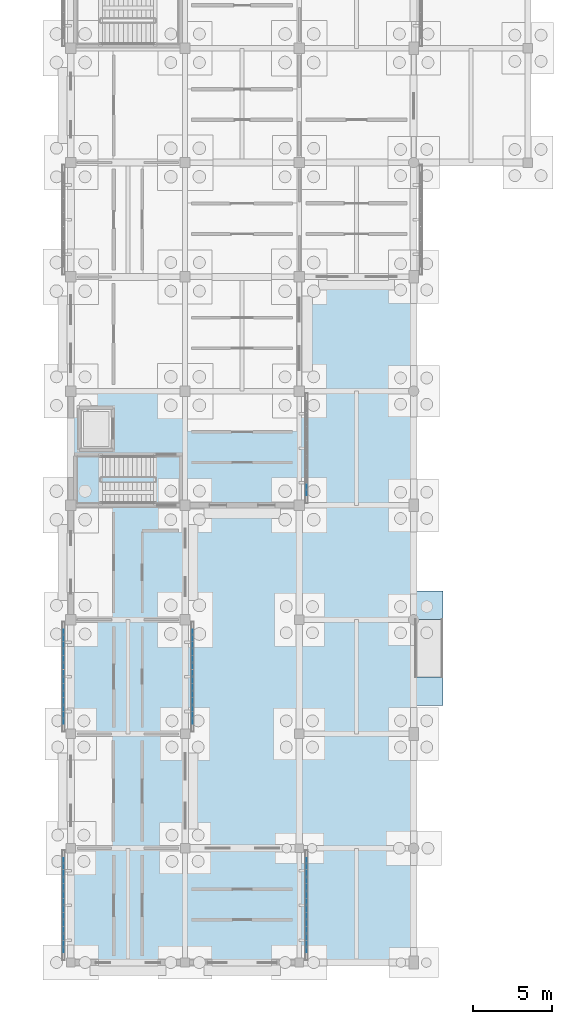
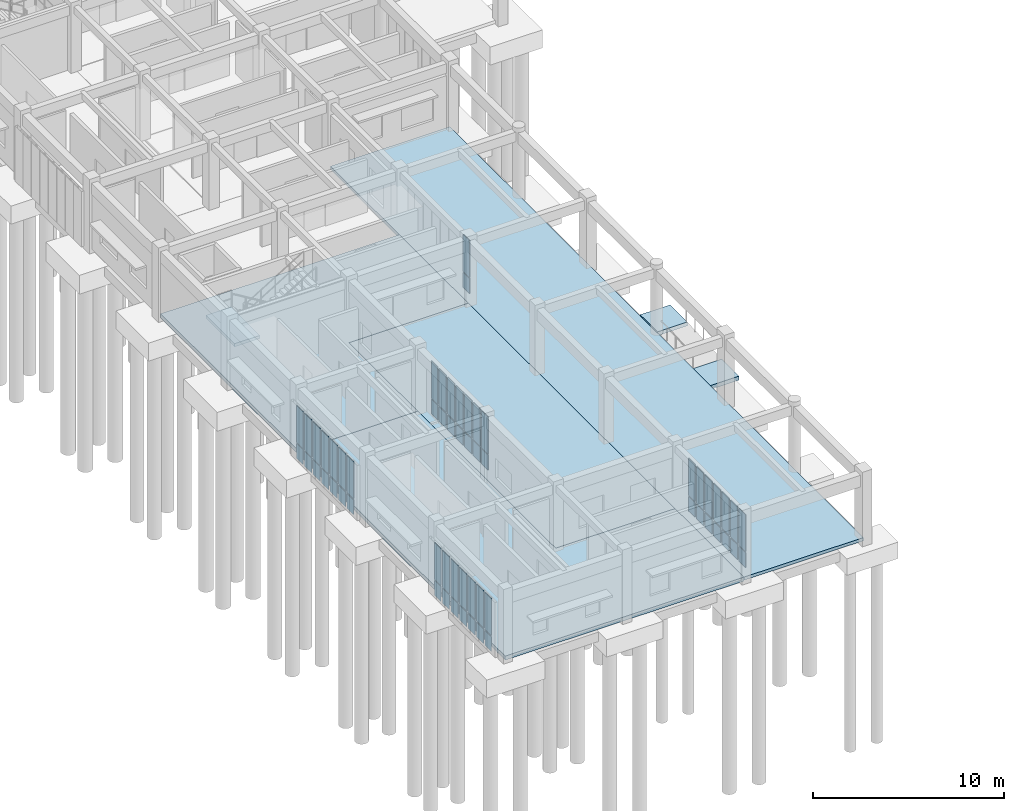
# One storey, part 47 of 111: 58 plates, 7 slabs, 6 elements without a shape of their own.
"""IFC4 building model written with IfcOpenShell, lengths in metres."""

from ifc_helpers import new_model, si_unit, direction, frame, origin, origin_2d, place, context, subcontext, project, spatial, polyline, rectangle, outline, extrude, material, layer, layer_set, type_object, element, aggregate, save


model = new_model("IFC4")

# Units and contexts
model_context = context("Model", 3, precision=1e-05, world=origin(), true_north=direction((0.0, 1.0)))
body_context = subcontext(model_context, "Body", "Model", "MODEL_VIEW")
ifc_project = project(units=[si_unit("LENGTHUNIT", "METRE"), si_unit("AREAUNIT", "SQUARE_METRE"), si_unit("VOLUMEUNIT", "CUBIC_METRE"), si_unit("PLANEANGLEUNIT", "RADIAN"), si_unit("MASSUNIT", "GRAM", prefix="KILO")], contexts=[model_context])

# Site, building, storey
site_placement = place(None, origin())
site = spatial("IfcSite", under=ifc_project, at=site_placement, CompositionType="ELEMENT")
building_placement = place(site_placement, origin())
building = spatial("IfcBuilding", under=site, at=building_placement, Name="Aldebral Square Health Centre", CompositionType="ELEMENT")
storey_placement = place(building_placement, origin())
storey = spatial("IfcBuildingStorey", under=building, at=storey_placement, Name="L00", CompositionType="ELEMENT", Elevation=0.0)

# Curtain wall, plates
ifc_material_1 = material(Name="Aluminium and low-E solar glass", Category="aluminium")
curtain_wall_type = type_object("IfcCurtainWallType", Name="CW-FIN-SYS", PredefinedType="USERDEFINED", material=ifc_material_1)
curtain_wall_1_placement = place(storey_placement, origin())
curtain_wall_1 = element("IfcCurtainWall", 1, at=curtain_wall_1_placement, inside=storey, type_object=curtain_wall_type, Name="L00 V6 finned curtain wall L00-V6-00-00-W", ObjectType="SOLAR_CURTAIN_WALL", PredefinedType="USERDEFINED")
ifc_material_2 = material(Name="Solar-control low-E double glass", Category="glass")
ifc_layer_1 = layer(ifc_material_2, 0.02001953125, Name="Solar-control low-E double glass", Category="glass")
ifc_layer_set_1 = layer_set([ifc_layer_1], Name="Solar-control low-E double glass")
plate_type_1 = type_object("IfcPlateType", Name="CWP-GLZ-1", PredefinedType="CURTAIN_PANEL", material=ifc_layer_set_1)
plate_1_placement = place(storey_placement, frame((-0.4599609375, 6.234375, 0.074951171875), z_axis=(0.0, 0.0, 1.0), x_axis=(0.0, -1.0, 0.0)))
plate_1 = element("IfcPlate", 2, at=plate_1_placement, type_object=plate_type_1, Name="CW1 panel 1.1", PredefinedType="CURTAIN_PANEL", context=body_context, shape_type="SweptSolid", body=[
    extrude(rectangle(XDim=0.6513671875, YDim=0.02001953125, at=origin_2d()), origin(), (0.0, 0.0, 1.0), 0.9375),
])
plate_2_placement = place(storey_placement, frame((-0.4599609375, 6.234375, 1.087646484375), z_axis=(0.0, 0.0, 1.0), x_axis=(0.0, -1.0, 0.0)))
plate_2 = element("IfcPlate", 3, at=plate_2_placement, type_object=plate_type_1, Name="CW1 panel 1.2", PredefinedType="CURTAIN_PANEL", context=body_context, shape_type="SweptSolid", body=[
    extrude(rectangle(XDim=0.6513671875, YDim=0.02001953125, at=origin_2d()), origin(), (0.0, 0.0, 1.0), 2.357421875),
])
plate_3_placement = place(storey_placement, frame((-0.4599609375, 5.3828125, 0.074951171875), z_axis=(0.0, 0.0, 1.0), x_axis=(0.0, -1.0, 0.0)))
plate_3 = element("IfcPlate", 4, at=plate_3_placement, type_object=plate_type_1, Name="CW1 panel 2.1", PredefinedType="CURTAIN_PANEL", context=body_context, shape_type="SweptSolid", body=[
    extrude(rectangle(XDim=0.7314453125, YDim=0.02001953125, at=origin_2d()), origin(), (0.0, 0.0, 1.0), 0.9375),
])
plate_4_placement = place(storey_placement, frame((-0.4599609375, 5.3828125, 1.087646484375), z_axis=(0.0, 0.0, 1.0), x_axis=(0.0, -1.0, 0.0)))
plate_4 = element("IfcPlate", 5, at=plate_4_placement, type_object=plate_type_1, Name="CW1 panel 2.2", PredefinedType="CURTAIN_PANEL", context=body_context, shape_type="SweptSolid", body=[
    extrude(rectangle(XDim=0.7314453125, YDim=0.02001953125, at=origin_2d()), origin(), (0.0, 0.0, 1.0), 2.357421875),
])
plate_5_placement = place(storey_placement, frame((-0.4599609375, 4.491455078125, 0.074951171875), z_axis=(0.0, 0.0, 1.0), x_axis=(0.0, -1.0, 0.0)))
plate_5 = element("IfcPlate", 6, at=plate_5_placement, type_object=plate_type_1, Name="CW1 panel 3.1", PredefinedType="CURTAIN_PANEL", context=body_context, shape_type="SweptSolid", body=[
    extrude(rectangle(XDim=0.7314453125, YDim=0.02001953125, at=origin_2d()), origin(), (0.0, 0.0, 1.0), 0.9375),
])
plate_6_placement = place(storey_placement, frame((-0.4599609375, 4.491455078125, 1.087646484375), z_axis=(0.0, 0.0, 1.0), x_axis=(0.0, -1.0, 0.0)))
plate_6 = element("IfcPlate", 7, at=plate_6_placement, type_object=plate_type_1, Name="CW1 panel 3.2", PredefinedType="CURTAIN_PANEL", context=body_context, shape_type="SweptSolid", body=[
    extrude(rectangle(XDim=0.7314453125, YDim=0.02001953125, at=origin_2d()), origin(), (0.0, 0.0, 1.0), 2.357421875),
])
plate_7_placement = place(storey_placement, frame((-0.4599609375, 3.60009765625, 0.074951171875), z_axis=(0.0, 0.0, 1.0), x_axis=(0.0, -1.0, 0.0)))
plate_7 = element("IfcPlate", 8, at=plate_7_placement, type_object=plate_type_1, Name="CW1 panel 4.1", PredefinedType="CURTAIN_PANEL", context=body_context, shape_type="SweptSolid", body=[
    extrude(rectangle(XDim=0.7314453125, YDim=0.02001953125, at=origin_2d()), origin(), (0.0, 0.0, 1.0), 0.9375),
])
plate_8_placement = place(storey_placement, frame((-0.4599609375, 3.60009765625, 1.087646484375), z_axis=(0.0, 0.0, 1.0), x_axis=(0.0, -1.0, 0.0)))
plate_8 = element("IfcPlate", 9, at=plate_8_placement, type_object=plate_type_1, Name="CW1 panel 4.2", PredefinedType="CURTAIN_PANEL", context=body_context, shape_type="SweptSolid", body=[
    extrude(rectangle(XDim=0.7314453125, YDim=0.02001953125, at=origin_2d()), origin(), (0.0, 0.0, 1.0), 2.357421875),
])
plate_9_placement = place(storey_placement, frame((-0.4599609375, 2.70849609375, 0.074951171875), z_axis=(0.0, 0.0, 1.0), x_axis=(0.0, -1.0, 0.0)))
plate_9 = element("IfcPlate", 10, at=plate_9_placement, type_object=plate_type_1, Name="CW1 panel 5.1", PredefinedType="CURTAIN_PANEL", context=body_context, shape_type="SweptSolid", body=[
    extrude(rectangle(XDim=0.7314453125, YDim=0.02001953125, at=origin_2d()), origin(), (0.0, 0.0, 1.0), 0.9375),
])
plate_10_placement = place(storey_placement, frame((-0.4599609375, 2.70849609375, 1.087646484375), z_axis=(0.0, 0.0, 1.0), x_axis=(0.0, -1.0, 0.0)))
plate_10 = element("IfcPlate", 11, at=plate_10_placement, type_object=plate_type_1, Name="CW1 panel 5.2", PredefinedType="CURTAIN_PANEL", context=body_context, shape_type="SweptSolid", body=[
    extrude(rectangle(XDim=0.7314453125, YDim=0.02001953125, at=origin_2d()), origin(), (0.0, 0.0, 1.0), 2.357421875),
])
plate_11_placement = place(storey_placement, frame((-0.4599609375, 1.817138671875, 0.074951171875), z_axis=(0.0, 0.0, 1.0), x_axis=(0.0, -1.0, 0.0)))
plate_11 = element("IfcPlate", 12, at=plate_11_placement, type_object=plate_type_1, Name="CW1 panel 6.1", PredefinedType="CURTAIN_PANEL", context=body_context, shape_type="SweptSolid", body=[
    extrude(rectangle(XDim=0.7314453125, YDim=0.02001953125, at=origin_2d()), origin(), (0.0, 0.0, 1.0), 0.9375),
])
plate_12_placement = place(storey_placement, frame((-0.4599609375, 1.817138671875, 1.087646484375), z_axis=(0.0, 0.0, 1.0), x_axis=(0.0, -1.0, 0.0)))
plate_12 = element("IfcPlate", 13, at=plate_12_placement, type_object=plate_type_1, Name="CW1 panel 6.2", PredefinedType="CURTAIN_PANEL", context=body_context, shape_type="SweptSolid", body=[
    extrude(rectangle(XDim=0.7314453125, YDim=0.02001953125, at=origin_2d()), origin(), (0.0, 0.0, 1.0), 2.357421875),
])
plate_13_placement = place(storey_placement, frame((-0.4599609375, 0.9658203125, 0.074951171875), z_axis=(0.0, 0.0, 1.0), x_axis=(0.0, -1.0, 0.0)))
plate_13 = element("IfcPlate", 14, at=plate_13_placement, type_object=plate_type_1, Name="CW1 panel 7.1", PredefinedType="CURTAIN_PANEL", context=body_context, shape_type="SweptSolid", body=[
    extrude(rectangle(XDim=0.6513671875, YDim=0.02001953125, at=origin_2d()), origin(), (0.0, 0.0, 1.0), 0.9375),
])
plate_14_placement = place(storey_placement, frame((-0.4599609375, 0.9658203125, 1.087646484375), z_axis=(0.0, 0.0, 1.0), x_axis=(0.0, -1.0, 0.0)))
plate_14 = element("IfcPlate", 15, at=plate_14_placement, type_object=plate_type_1, Name="CW1 panel 7.2", PredefinedType="CURTAIN_PANEL", context=body_context, shape_type="SweptSolid", body=[
    extrude(rectangle(XDim=0.6513671875, YDim=0.02001953125, at=origin_2d()), origin(), (0.0, 0.0, 1.0), 2.357421875),
])
aggregate(curtain_wall_1, [plate_1, plate_2, plate_3, plate_4, plate_5, plate_6, plate_7, plate_8, plate_9, plate_10, plate_11, plate_12, plate_13, plate_14])

curtain_wall_2_placement = place(storey_placement, origin())
curtain_wall_2 = element("IfcCurtainWall", 16, at=curtain_wall_2_placement, inside=storey, type_object=curtain_wall_type, Name="L00 V6 finned curtain wall L00-V6-00-02-W", ObjectType="SOLAR_CURTAIN_WALL", PredefinedType="USERDEFINED")
ifc_layer_2 = layer(ifc_material_2, 0.030029296875, Name="Solar-control low-E double glass", Category="glass")
ifc_layer_set_2 = layer_set([ifc_layer_2], Name="Solar-control low-E double glass")
plate_type_2 = type_object("IfcPlateType", Name="CWP-GLZ-2", PredefinedType="CURTAIN_PANEL", material=ifc_layer_set_2)
plate_15_placement = place(storey_placement, frame((-0.4599609375, 20.63427734375, 0.074951171875), z_axis=(0.0, 0.0, 1.0), x_axis=(0.0, -1.0, 0.0)))
plate_15 = element("IfcPlate", 17, at=plate_15_placement, type_object=plate_type_2, Name="CW1 panel 1.1", PredefinedType="CURTAIN_PANEL", context=body_context, shape_type="SweptSolid", body=[
    extrude(rectangle(XDim=0.6513671875, YDim=0.030029296875, at=origin_2d()), origin(), (0.0, 0.0, 1.0), 0.9375),
])
plate_16_placement = place(storey_placement, frame((-0.4599609375, 20.63427734375, 1.087646484375), z_axis=(0.0, 0.0, 1.0), x_axis=(0.0, -1.0, 0.0)))
plate_16 = element("IfcPlate", 18, at=plate_16_placement, type_object=plate_type_2, Name="CW1 panel 1.2", PredefinedType="CURTAIN_PANEL", context=body_context, shape_type="SweptSolid", body=[
    extrude(rectangle(XDim=0.6513671875, YDim=0.030029296875, at=origin_2d()), origin(), (0.0, 0.0, 1.0), 2.357421875),
])
plate_17_placement = place(storey_placement, frame((-0.4599609375, 19.782958984375, 0.074951171875), z_axis=(0.0, 0.0, 1.0), x_axis=(0.0, -1.0, 0.0)))
plate_17 = element("IfcPlate", 19, at=plate_17_placement, type_object=plate_type_2, Name="CW1 panel 2.1", PredefinedType="CURTAIN_PANEL", context=body_context, shape_type="SweptSolid", body=[
    extrude(rectangle(XDim=0.7314453125, YDim=0.030029296875, at=origin_2d()), origin(), (0.0, 0.0, 1.0), 0.9375),
])
plate_18_placement = place(storey_placement, frame((-0.4599609375, 19.782958984375, 1.087646484375), z_axis=(0.0, 0.0, 1.0), x_axis=(0.0, -1.0, 0.0)))
plate_18 = element("IfcPlate", 20, at=plate_18_placement, type_object=plate_type_2, Name="CW1 panel 2.2", PredefinedType="CURTAIN_PANEL", context=body_context, shape_type="SweptSolid", body=[
    extrude(rectangle(XDim=0.7314453125, YDim=0.030029296875, at=origin_2d()), origin(), (0.0, 0.0, 1.0), 2.357421875),
])
plate_19_placement = place(storey_placement, frame((-0.4599609375, 18.891357421875, 0.074951171875), z_axis=(0.0, 0.0, 1.0), x_axis=(0.0, -1.0, 0.0)))
plate_19 = element("IfcPlate", 21, at=plate_19_placement, type_object=plate_type_2, Name="CW1 panel 3.1", PredefinedType="CURTAIN_PANEL", context=body_context, shape_type="SweptSolid", body=[
    extrude(rectangle(XDim=0.7314453125, YDim=0.030029296875, at=origin_2d()), origin(), (0.0, 0.0, 1.0), 0.9375),
])
plate_20_placement = place(storey_placement, frame((-0.4599609375, 18.891357421875, 1.087646484375), z_axis=(0.0, 0.0, 1.0), x_axis=(0.0, -1.0, 0.0)))
plate_20 = element("IfcPlate", 22, at=plate_20_placement, type_object=plate_type_2, Name="CW1 panel 3.2", PredefinedType="CURTAIN_PANEL", context=body_context, shape_type="SweptSolid", body=[
    extrude(rectangle(XDim=0.7314453125, YDim=0.030029296875, at=origin_2d()), origin(), (0.0, 0.0, 1.0), 2.357421875),
])
plate_21_placement = place(storey_placement, frame((-0.4599609375, 18.0, 0.074951171875), z_axis=(0.0, 0.0, 1.0), x_axis=(0.0, -1.0, 0.0)))
plate_21 = element("IfcPlate", 23, at=plate_21_placement, type_object=plate_type_2, Name="CW1 panel 4.1", PredefinedType="CURTAIN_PANEL", context=body_context, shape_type="SweptSolid", body=[
    extrude(rectangle(XDim=0.7314453125, YDim=0.030029296875, at=origin_2d()), origin(), (0.0, 0.0, 1.0), 0.9375),
])
plate_22_placement = place(storey_placement, frame((-0.4599609375, 18.0, 1.087646484375), z_axis=(0.0, 0.0, 1.0), x_axis=(0.0, -1.0, 0.0)))
plate_22 = element("IfcPlate", 24, at=plate_22_placement, type_object=plate_type_2, Name="CW1 panel 4.2", PredefinedType="CURTAIN_PANEL", context=body_context, shape_type="SweptSolid", body=[
    extrude(rectangle(XDim=0.7314453125, YDim=0.030029296875, at=origin_2d()), origin(), (0.0, 0.0, 1.0), 2.357421875),
])
plate_23_placement = place(storey_placement, frame((-0.4599609375, 17.108642578125, 0.074951171875), z_axis=(0.0, 0.0, 1.0), x_axis=(0.0, -1.0, 0.0)))
plate_23 = element("IfcPlate", 25, at=plate_23_placement, type_object=plate_type_2, Name="CW1 panel 5.1", PredefinedType="CURTAIN_PANEL", context=body_context, shape_type="SweptSolid", body=[
    extrude(rectangle(XDim=0.7314453125, YDim=0.030029296875, at=origin_2d()), origin(), (0.0, 0.0, 1.0), 0.9375),
])
plate_24_placement = place(storey_placement, frame((-0.4599609375, 17.108642578125, 1.087646484375), z_axis=(0.0, 0.0, 1.0), x_axis=(0.0, -1.0, 0.0)))
plate_24 = element("IfcPlate", 26, at=plate_24_placement, type_object=plate_type_2, Name="CW1 panel 5.2", PredefinedType="CURTAIN_PANEL", context=body_context, shape_type="SweptSolid", body=[
    extrude(rectangle(XDim=0.7314453125, YDim=0.030029296875, at=origin_2d()), origin(), (0.0, 0.0, 1.0), 2.357421875),
])
plate_25_placement = place(storey_placement, frame((-0.4599609375, 16.217041015625, 0.074951171875), z_axis=(0.0, 0.0, 1.0), x_axis=(0.0, -1.0, 0.0)))
plate_25 = element("IfcPlate", 27, at=plate_25_placement, type_object=plate_type_2, Name="CW1 panel 6.1", PredefinedType="CURTAIN_PANEL", context=body_context, shape_type="SweptSolid", body=[
    extrude(rectangle(XDim=0.7314453125, YDim=0.030029296875, at=origin_2d()), origin(), (0.0, 0.0, 1.0), 0.9375),
])
plate_26_placement = place(storey_placement, frame((-0.4599609375, 16.217041015625, 1.087646484375), z_axis=(0.0, 0.0, 1.0), x_axis=(0.0, -1.0, 0.0)))
plate_26 = element("IfcPlate", 28, at=plate_26_placement, type_object=plate_type_2, Name="CW1 panel 6.2", PredefinedType="CURTAIN_PANEL", context=body_context, shape_type="SweptSolid", body=[
    extrude(rectangle(XDim=0.7314453125, YDim=0.030029296875, at=origin_2d()), origin(), (0.0, 0.0, 1.0), 2.357421875),
])
plate_27_placement = place(storey_placement, frame((-0.4599609375, 15.36572265625, 0.074951171875), z_axis=(0.0, 0.0, 1.0), x_axis=(0.0, -1.0, 0.0)))
plate_27 = element("IfcPlate", 29, at=plate_27_placement, type_object=plate_type_2, Name="CW1 panel 7.1", PredefinedType="CURTAIN_PANEL", context=body_context, shape_type="SweptSolid", body=[
    extrude(rectangle(XDim=0.6513671875, YDim=0.030029296875, at=origin_2d()), origin(), (0.0, 0.0, 1.0), 0.9375),
])
plate_28_placement = place(storey_placement, frame((-0.4599609375, 15.36572265625, 1.087646484375), z_axis=(0.0, 0.0, 1.0), x_axis=(0.0, -1.0, 0.0)))
plate_28 = element("IfcPlate", 30, at=plate_28_placement, type_object=plate_type_2, Name="CW1 panel 7.2", PredefinedType="CURTAIN_PANEL", context=body_context, shape_type="SweptSolid", body=[
    extrude(rectangle(XDim=0.6513671875, YDim=0.030029296875, at=origin_2d()), origin(), (0.0, 0.0, 1.0), 2.357421875),
])
aggregate(curtain_wall_2, [plate_15, plate_16, plate_17, plate_18, plate_19, plate_20, plate_21, plate_22, plate_23, plate_24, plate_25, plate_26, plate_27, plate_28])

curtain_wall_3_placement = place(storey_placement, origin())
curtain_wall_3 = element("IfcCurtainWall", 31, at=curtain_wall_3_placement, inside=storey, type_object=curtain_wall_type, Name="L00 V6 finned curtain wall L00-V6-01-00-E", ObjectType="SOLAR_CURTAIN_WALL", PredefinedType="USERDEFINED")
plate_29_placement = place(storey_placement, frame((14.860107421875, 0.9658203125, 0.074951171875), z_axis=(0.0, 0.0, 1.0), x_axis=(0.0, 1.0, 0.0)))
plate_29 = element("IfcPlate", 32, at=plate_29_placement, type_object=plate_type_2, Name="CW1 panel 1.1", PredefinedType="CURTAIN_PANEL", context=body_context, shape_type="SweptSolid", body=[
    extrude(rectangle(XDim=0.6513671875, YDim=0.030029296875, at=origin_2d()), origin(), (0.0, 0.0, 1.0), 0.9375),
])
plate_30_placement = place(storey_placement, frame((14.860107421875, 0.9658203125, 1.087646484375), z_axis=(0.0, 0.0, 1.0), x_axis=(0.0, 1.0, 0.0)))
plate_30 = element("IfcPlate", 33, at=plate_30_placement, type_object=plate_type_2, Name="CW1 panel 1.2", PredefinedType="CURTAIN_PANEL", context=body_context, shape_type="SweptSolid", body=[
    extrude(rectangle(XDim=0.6513671875, YDim=0.030029296875, at=origin_2d()), origin(), (0.0, 0.0, 1.0), 2.357421875),
])
plate_31_placement = place(storey_placement, frame((14.860107421875, 1.817138671875, 0.074951171875), z_axis=(0.0, 0.0, 1.0), x_axis=(0.0, 1.0, 0.0)))
plate_31 = element("IfcPlate", 34, at=plate_31_placement, type_object=plate_type_2, Name="CW1 panel 2.1", PredefinedType="CURTAIN_PANEL", context=body_context, shape_type="SweptSolid", body=[
    extrude(rectangle(XDim=0.7314453125, YDim=0.030029296875, at=origin_2d()), origin(), (0.0, 0.0, 1.0), 0.9375),
])
plate_32_placement = place(storey_placement, frame((14.860107421875, 1.817138671875, 1.087646484375), z_axis=(0.0, 0.0, 1.0), x_axis=(0.0, 1.0, 0.0)))
plate_32 = element("IfcPlate", 35, at=plate_32_placement, type_object=plate_type_2, Name="CW1 panel 2.2", PredefinedType="CURTAIN_PANEL", context=body_context, shape_type="SweptSolid", body=[
    extrude(rectangle(XDim=0.7314453125, YDim=0.030029296875, at=origin_2d()), origin(), (0.0, 0.0, 1.0), 2.357421875),
])
plate_33_placement = place(storey_placement, frame((14.860107421875, 2.70849609375, 0.074951171875), z_axis=(0.0, 0.0, 1.0), x_axis=(0.0, 1.0, 0.0)))
plate_33 = element("IfcPlate", 36, at=plate_33_placement, type_object=plate_type_2, Name="CW1 panel 3.1", PredefinedType="CURTAIN_PANEL", context=body_context, shape_type="SweptSolid", body=[
    extrude(rectangle(XDim=0.7314453125, YDim=0.030029296875, at=origin_2d()), origin(), (0.0, 0.0, 1.0), 0.9375),
])
plate_34_placement = place(storey_placement, frame((14.860107421875, 2.70849609375, 1.087646484375), z_axis=(0.0, 0.0, 1.0), x_axis=(0.0, 1.0, 0.0)))
plate_34 = element("IfcPlate", 37, at=plate_34_placement, type_object=plate_type_2, Name="CW1 panel 3.2", PredefinedType="CURTAIN_PANEL", context=body_context, shape_type="SweptSolid", body=[
    extrude(rectangle(XDim=0.7314453125, YDim=0.030029296875, at=origin_2d()), origin(), (0.0, 0.0, 1.0), 2.357421875),
])
plate_35_placement = place(storey_placement, frame((14.860107421875, 3.60009765625, 0.074951171875), z_axis=(0.0, 0.0, 1.0), x_axis=(0.0, 1.0, 0.0)))
plate_35 = element("IfcPlate", 38, at=plate_35_placement, type_object=plate_type_2, Name="CW1 panel 4.1", PredefinedType="CURTAIN_PANEL", context=body_context, shape_type="SweptSolid", body=[
    extrude(rectangle(XDim=0.7314453125, YDim=0.030029296875, at=origin_2d()), origin(), (0.0, 0.0, 1.0), 0.9375),
])
plate_36_placement = place(storey_placement, frame((14.860107421875, 3.60009765625, 1.087646484375), z_axis=(0.0, 0.0, 1.0), x_axis=(0.0, 1.0, 0.0)))
plate_36 = element("IfcPlate", 39, at=plate_36_placement, type_object=plate_type_2, Name="CW1 panel 4.2", PredefinedType="CURTAIN_PANEL", context=body_context, shape_type="SweptSolid", body=[
    extrude(rectangle(XDim=0.7314453125, YDim=0.030029296875, at=origin_2d()), origin(), (0.0, 0.0, 1.0), 2.357421875),
])
plate_37_placement = place(storey_placement, frame((14.860107421875, 4.491455078125, 0.074951171875), z_axis=(0.0, 0.0, 1.0), x_axis=(0.0, 1.0, 0.0)))
plate_37 = element("IfcPlate", 40, at=plate_37_placement, type_object=plate_type_2, Name="CW1 panel 5.1", PredefinedType="CURTAIN_PANEL", context=body_context, shape_type="SweptSolid", body=[
    extrude(rectangle(XDim=0.7314453125, YDim=0.030029296875, at=origin_2d()), origin(), (0.0, 0.0, 1.0), 0.9375),
])
plate_38_placement = place(storey_placement, frame((14.860107421875, 4.491455078125, 1.087646484375), z_axis=(0.0, 0.0, 1.0), x_axis=(0.0, 1.0, 0.0)))
plate_38 = element("IfcPlate", 41, at=plate_38_placement, type_object=plate_type_2, Name="CW1 panel 5.2", PredefinedType="CURTAIN_PANEL", context=body_context, shape_type="SweptSolid", body=[
    extrude(rectangle(XDim=0.7314453125, YDim=0.030029296875, at=origin_2d()), origin(), (0.0, 0.0, 1.0), 2.357421875),
])
plate_39_placement = place(storey_placement, frame((14.860107421875, 5.3828125, 0.074951171875), z_axis=(0.0, 0.0, 1.0), x_axis=(0.0, 1.0, 0.0)))
plate_39 = element("IfcPlate", 42, at=plate_39_placement, type_object=plate_type_2, Name="CW1 panel 6.1", PredefinedType="CURTAIN_PANEL", context=body_context, shape_type="SweptSolid", body=[
    extrude(rectangle(XDim=0.7314453125, YDim=0.030029296875, at=origin_2d()), origin(), (0.0, 0.0, 1.0), 0.9375),
])
plate_40_placement = place(storey_placement, frame((14.860107421875, 5.3828125, 1.087646484375), z_axis=(0.0, 0.0, 1.0), x_axis=(0.0, 1.0, 0.0)))
plate_40 = element("IfcPlate", 43, at=plate_40_placement, type_object=plate_type_2, Name="CW1 panel 6.2", PredefinedType="CURTAIN_PANEL", context=body_context, shape_type="SweptSolid", body=[
    extrude(rectangle(XDim=0.7314453125, YDim=0.030029296875, at=origin_2d()), origin(), (0.0, 0.0, 1.0), 2.357421875),
])
plate_41_placement = place(storey_placement, frame((14.860107421875, 6.234375, 0.074951171875), z_axis=(0.0, 0.0, 1.0), x_axis=(0.0, 1.0, 0.0)))
plate_41 = element("IfcPlate", 44, at=plate_41_placement, type_object=plate_type_2, Name="CW1 panel 7.1", PredefinedType="CURTAIN_PANEL", context=body_context, shape_type="SweptSolid", body=[
    extrude(rectangle(XDim=0.6513671875, YDim=0.030029296875, at=origin_2d()), origin(), (0.0, 0.0, 1.0), 0.9375),
])
plate_42_placement = place(storey_placement, frame((14.860107421875, 6.234375, 1.087646484375), z_axis=(0.0, 0.0, 1.0), x_axis=(0.0, 1.0, 0.0)))
plate_42 = element("IfcPlate", 45, at=plate_42_placement, type_object=plate_type_2, Name="CW1 panel 7.2", PredefinedType="CURTAIN_PANEL", context=body_context, shape_type="SweptSolid", body=[
    extrude(rectangle(XDim=0.6513671875, YDim=0.030029296875, at=origin_2d()), origin(), (0.0, 0.0, 1.0), 2.357421875),
])
aggregate(curtain_wall_3, [plate_29, plate_30, plate_31, plate_32, plate_33, plate_34, plate_35, plate_36, plate_37, plate_38, plate_39, plate_40, plate_41, plate_42])

curtain_wall_4_placement = place(storey_placement, origin())
curtain_wall_4 = element("IfcCurtainWall", 46, at=curtain_wall_4_placement, inside=storey, type_object=curtain_wall_type, Name="L00 V6 finned curtain wall L00-V6-00-02-E", ObjectType="SOLAR_CURTAIN_WALL", PredefinedType="USERDEFINED")
ifc_layer_3 = layer(ifc_material_2, 0.0400390625, Name="Solar-control low-E double glass", Category="glass")
ifc_layer_set_3 = layer_set([ifc_layer_3], Name="Solar-control low-E double glass")
plate_type_3 = type_object("IfcPlateType", Name="CWP-GLZ-3", PredefinedType="CURTAIN_PANEL", material=ifc_layer_set_3)
plate_43_placement = place(storey_placement, frame((7.659912109375, 15.36572265625, 0.074951171875), z_axis=(0.0, 0.0, 1.0), x_axis=(0.0, 1.0, 0.0)))
plate_43 = element("IfcPlate", 47, at=plate_43_placement, type_object=plate_type_3, Name="CW1 panel 1.1", PredefinedType="CURTAIN_PANEL", context=body_context, shape_type="SweptSolid", body=[
    extrude(rectangle(XDim=0.6513671875, YDim=0.0400390625, at=origin_2d()), origin(), (0.0, 0.0, 1.0), 0.9375),
])
plate_44_placement = place(storey_placement, frame((7.659912109375, 15.36572265625, 1.087646484375), z_axis=(0.0, 0.0, 1.0), x_axis=(0.0, 1.0, 0.0)))
plate_44 = element("IfcPlate", 48, at=plate_44_placement, type_object=plate_type_3, Name="CW1 panel 1.2", PredefinedType="CURTAIN_PANEL", context=body_context, shape_type="SweptSolid", body=[
    extrude(rectangle(XDim=0.6513671875, YDim=0.0400390625, at=origin_2d()), origin(), (0.0, 0.0, 1.0), 2.357421875),
])
plate_45_placement = place(storey_placement, frame((7.659912109375, 16.217041015625, 0.074951171875), z_axis=(0.0, 0.0, 1.0), x_axis=(0.0, 1.0, 0.0)))
plate_45 = element("IfcPlate", 49, at=plate_45_placement, type_object=plate_type_3, Name="CW1 panel 2.1", PredefinedType="CURTAIN_PANEL", context=body_context, shape_type="SweptSolid", body=[
    extrude(rectangle(XDim=0.7314453125, YDim=0.0400390625, at=origin_2d()), origin(), (0.0, 0.0, 1.0), 0.9375),
])
plate_46_placement = place(storey_placement, frame((7.659912109375, 16.217041015625, 1.087646484375), z_axis=(0.0, 0.0, 1.0), x_axis=(0.0, 1.0, 0.0)))
plate_46 = element("IfcPlate", 50, at=plate_46_placement, type_object=plate_type_3, Name="CW1 panel 2.2", PredefinedType="CURTAIN_PANEL", context=body_context, shape_type="SweptSolid", body=[
    extrude(rectangle(XDim=0.7314453125, YDim=0.0400390625, at=origin_2d()), origin(), (0.0, 0.0, 1.0), 2.357421875),
])
plate_47_placement = place(storey_placement, frame((7.659912109375, 17.108642578125, 0.074951171875), z_axis=(0.0, 0.0, 1.0), x_axis=(0.0, 1.0, 0.0)))
plate_47 = element("IfcPlate", 51, at=plate_47_placement, type_object=plate_type_3, Name="CW1 panel 3.1", PredefinedType="CURTAIN_PANEL", context=body_context, shape_type="SweptSolid", body=[
    extrude(rectangle(XDim=0.7314453125, YDim=0.0400390625, at=origin_2d()), origin(), (0.0, 0.0, 1.0), 0.9375),
])
plate_48_placement = place(storey_placement, frame((7.659912109375, 17.108642578125, 1.087646484375), z_axis=(0.0, 0.0, 1.0), x_axis=(0.0, 1.0, 0.0)))
plate_48 = element("IfcPlate", 52, at=plate_48_placement, type_object=plate_type_3, Name="CW1 panel 3.2", PredefinedType="CURTAIN_PANEL", context=body_context, shape_type="SweptSolid", body=[
    extrude(rectangle(XDim=0.7314453125, YDim=0.0400390625, at=origin_2d()), origin(), (0.0, 0.0, 1.0), 2.357421875),
])
plate_49_placement = place(storey_placement, frame((7.659912109375, 18.0, 0.074951171875), z_axis=(0.0, 0.0, 1.0), x_axis=(0.0, 1.0, 0.0)))
plate_49 = element("IfcPlate", 53, at=plate_49_placement, type_object=plate_type_3, Name="CW1 panel 4.1", PredefinedType="CURTAIN_PANEL", context=body_context, shape_type="SweptSolid", body=[
    extrude(rectangle(XDim=0.7314453125, YDim=0.0400390625, at=origin_2d()), origin(), (0.0, 0.0, 1.0), 0.9375),
])
plate_50_placement = place(storey_placement, frame((7.659912109375, 18.0, 1.087646484375), z_axis=(0.0, 0.0, 1.0), x_axis=(0.0, 1.0, 0.0)))
plate_50 = element("IfcPlate", 54, at=plate_50_placement, type_object=plate_type_3, Name="CW1 panel 4.2", PredefinedType="CURTAIN_PANEL", context=body_context, shape_type="SweptSolid", body=[
    extrude(rectangle(XDim=0.7314453125, YDim=0.0400390625, at=origin_2d()), origin(), (0.0, 0.0, 1.0), 2.357421875),
])
plate_51_placement = place(storey_placement, frame((7.659912109375, 18.891357421875, 0.074951171875), z_axis=(0.0, 0.0, 1.0), x_axis=(0.0, 1.0, 0.0)))
plate_51 = element("IfcPlate", 55, at=plate_51_placement, type_object=plate_type_3, Name="CW1 panel 5.1", PredefinedType="CURTAIN_PANEL", context=body_context, shape_type="SweptSolid", body=[
    extrude(rectangle(XDim=0.7314453125, YDim=0.0400390625, at=origin_2d()), origin(), (0.0, 0.0, 1.0), 0.9375),
])
plate_52_placement = place(storey_placement, frame((7.659912109375, 18.891357421875, 1.087646484375), z_axis=(0.0, 0.0, 1.0), x_axis=(0.0, 1.0, 0.0)))
plate_52 = element("IfcPlate", 56, at=plate_52_placement, type_object=plate_type_3, Name="CW1 panel 5.2", PredefinedType="CURTAIN_PANEL", context=body_context, shape_type="SweptSolid", body=[
    extrude(rectangle(XDim=0.7314453125, YDim=0.0400390625, at=origin_2d()), origin(), (0.0, 0.0, 1.0), 2.357421875),
])
plate_53_placement = place(storey_placement, frame((7.659912109375, 19.782958984375, 0.074951171875), z_axis=(0.0, 0.0, 1.0), x_axis=(0.0, 1.0, 0.0)))
plate_53 = element("IfcPlate", 57, at=plate_53_placement, type_object=plate_type_3, Name="CW1 panel 6.1", PredefinedType="CURTAIN_PANEL", context=body_context, shape_type="SweptSolid", body=[
    extrude(rectangle(XDim=0.7314453125, YDim=0.0400390625, at=origin_2d()), origin(), (0.0, 0.0, 1.0), 0.9375),
])
plate_54_placement = place(storey_placement, frame((7.659912109375, 19.782958984375, 1.087646484375), z_axis=(0.0, 0.0, 1.0), x_axis=(0.0, 1.0, 0.0)))
plate_54 = element("IfcPlate", 58, at=plate_54_placement, type_object=plate_type_3, Name="CW1 panel 6.2", PredefinedType="CURTAIN_PANEL", context=body_context, shape_type="SweptSolid", body=[
    extrude(rectangle(XDim=0.7314453125, YDim=0.0400390625, at=origin_2d()), origin(), (0.0, 0.0, 1.0), 2.357421875),
])
plate_55_placement = place(storey_placement, frame((7.659912109375, 20.63427734375, 0.074951171875), z_axis=(0.0, 0.0, 1.0), x_axis=(0.0, 1.0, 0.0)))
plate_55 = element("IfcPlate", 59, at=plate_55_placement, type_object=plate_type_3, Name="CW1 panel 7.1", PredefinedType="CURTAIN_PANEL", context=body_context, shape_type="SweptSolid", body=[
    extrude(rectangle(XDim=0.6513671875, YDim=0.0400390625, at=origin_2d()), origin(), (0.0, 0.0, 1.0), 0.9375),
])
plate_56_placement = place(storey_placement, frame((7.659912109375, 20.63427734375, 1.087646484375), z_axis=(0.0, 0.0, 1.0), x_axis=(0.0, 1.0, 0.0)))
plate_56 = element("IfcPlate", 60, at=plate_56_placement, type_object=plate_type_3, Name="CW1 panel 7.2", PredefinedType="CURTAIN_PANEL", context=body_context, shape_type="SweptSolid", body=[
    extrude(rectangle(XDim=0.6513671875, YDim=0.0400390625, at=origin_2d()), origin(), (0.0, 0.0, 1.0), 2.357421875),
])
aggregate(curtain_wall_4, [plate_43, plate_44, plate_45, plate_46, plate_47, plate_48, plate_49, plate_50, plate_51, plate_52, plate_53, plate_54, plate_55, plate_56])

curtain_wall_5_placement = place(storey_placement, origin())
curtain_wall_5 = element("IfcCurtainWall", 61, at=curtain_wall_5_placement, inside=storey, type_object=curtain_wall_type, Name="L00 V6 finned curtain wall L00-V6-01-04-E", ObjectType="SOLAR_CURTAIN_WALL", PredefinedType="USERDEFINED")
plate_57_placement = place(storey_placement, frame((14.860107421875, 29.765625, 0.074951171875), z_axis=(0.0, 0.0, 1.0), x_axis=(0.0, 1.0, 0.0)))
plate_57 = element("IfcPlate", 62, at=plate_57_placement, type_object=plate_type_3, Name="CW1 panel 1.1", PredefinedType="CURTAIN_PANEL", context=body_context, shape_type="SweptSolid", body=[
    extrude(rectangle(XDim=0.6513671875, YDim=0.0400390625, at=origin_2d()), origin(), (0.0, 0.0, 1.0), 0.9375),
])
plate_58_placement = place(storey_placement, frame((14.860107421875, 29.765625, 1.087646484375), z_axis=(0.0, 0.0, 1.0), x_axis=(0.0, 1.0, 0.0)))
plate_58 = element("IfcPlate", 63, at=plate_58_placement, type_object=plate_type_3, Name="CW1 panel 1.2", PredefinedType="CURTAIN_PANEL", context=body_context, shape_type="SweptSolid", body=[
    extrude(rectangle(XDim=0.6513671875, YDim=0.0400390625, at=origin_2d()), origin(), (0.0, 0.0, 1.0), 2.357421875),
])
aggregate(curtain_wall_5, [plate_57, plate_58])

# Slabs
ifc_material_3 = material(Name="Concrete C35/45", Category="concrete")
ifc_layer_4 = layer(ifc_material_3, 0.25, Name="Concrete C35/45", Category="concrete")
ifc_layer_set_4 = layer_set([ifc_layer_4], Name="Concrete C35/45")
slab_type_1 = type_object("IfcSlabType", Name="SL-BASE-250", PredefinedType="BASESLAB", material=ifc_layer_set_4)
slab_1_placement = place(storey_placement, frame((0.0, 0.0, -0.25)))
element("IfcSlab", 64, at=slab_1_placement, inside=storey, type_object=slab_type_1, Name="L00 V6 base slab 1", PredefinedType="BASESLAB", context=body_context, shape_type="SweptSolid", body=[
    extrude(outline(polyline([(0.0, 7.199951171875), (0.0, 14.39990234375), (0.0, 21.60009765625), (7.199951171875, 21.60009765625), (7.199951171875, 14.39990234375), (7.199951171875, 7.199951171875), (14.39990234375, 7.199951171875), (14.39990234375, 0.0), (7.199951171875, 0.0), (0.0, 0.0), (0.0, 7.199951171875)])), origin(), (0.0, 0.0, 1.0), 0.25),
])
slab_2_placement = place(storey_placement, frame((0.0, 0.0, -0.25)))
element("IfcSlab", 65, at=slab_2_placement, inside=storey, type_object=slab_type_1, Name="L00 V6 base slab 2", PredefinedType="BASESLAB", context=body_context, shape_type="SweptSolid", body=[
    extrude(outline(polyline([(7.199951171875, 21.60009765625), (0.0, 21.60009765625), (0.0, 28.800048828125), (0.0, 36.0), (7.199951171875, 36.0), (14.39990234375, 36.0), (14.39990234375, 28.800048828125), (7.199951171875, 28.800048828125), (7.199951171875, 21.60009765625)])), origin(), (0.0, 0.0, 1.0), 0.25),
])
slab_3_placement = place(storey_placement, frame((0.0, 0.0, -0.429931640625)))
element("IfcSlab", 66, at=slab_3_placement, inside=storey, type_object=slab_type_1, Name="Community Wing Colonnade Ramp lower approach landing", PredefinedType="BASESLAB", context=body_context, shape_type="SweptSolid", body=[
    extrude(outline(polyline([(23.449951171875, 16.199951171875), (23.449951171875, 18.0), (21.64990234375, 18.0), (21.64990234375, 16.199951171875), (23.449951171875, 16.199951171875)])), origin(), (0.0, 0.0, 1.0), 0.25),
])
slab_4_placement = place(storey_placement, frame((0.0, 0.0, -0.25)))
element("IfcSlab", 67, at=slab_4_placement, inside=storey, type_object=slab_type_1, Name="Community Wing Colonnade Ramp upper threshold landing", PredefinedType="BASESLAB", context=body_context, shape_type="SweptSolid", body=[
    extrude(outline(polyline([(23.449951171875, 21.60009765625), (23.449951171875, 23.39990234375), (21.64990234375, 23.39990234375), (21.64990234375, 21.60009765625), (23.449951171875, 21.60009765625)])), origin(), (0.0, 0.0, 1.0), 0.25),
])
ifc_layer_5 = layer(ifc_material_3, 0.199951171875, Name="Concrete C35/45", Category="concrete")
ifc_layer_set_5 = layer_set([ifc_layer_5], Name="Concrete C35/45")
slab_type_2 = type_object("IfcSlabType", Name="SL-COL-200", PredefinedType="USERDEFINED", material=ifc_layer_set_5)
slab_5_placement = place(storey_placement, frame((0.0, 0.0, -0.199951171875)))
element("IfcSlab", 68, at=slab_5_placement, inside=storey, type_object=slab_type_2, Name="Aldebral Square colonnade paving 1", ObjectType="PAVING", PredefinedType="USERDEFINED", context=body_context, shape_type="SweptSolid", body=[
    extrude(outline(polyline([(14.39990234375, 14.39990234375), (14.39990234375, 21.60009765625), (14.39990234375, 28.800048828125), (14.39990234375, 36.0), (14.39990234375, 43.199951171875), (21.60009765625, 43.199951171875), (21.60009765625, 36.0), (21.60009765625, 28.800048828125), (21.60009765625, 21.60009765625), (21.60009765625, 14.39990234375), (21.60009765625, 7.199951171875), (21.60009765625, 0.0), (14.39990234375, 0.0), (14.39990234375, 7.199951171875), (14.39990234375, 14.39990234375)])), origin(), (0.0, 0.0, 1.0), 0.199951171875),
])
slab_6_placement = place(storey_placement, frame((0.0, 0.0, -0.199951171875)))
element("IfcSlab", 69, at=slab_6_placement, inside=storey, type_object=slab_type_2, Name="Ground entrance apron APR-W-SW.1", ObjectType="PAVING", PredefinedType="USERDEFINED", context=body_context, shape_type="SweptSolid", body=[
    extrude(outline(polyline([(14.39990234375, 7.199951171875), (7.199951171875, 7.199951171875), (7.199951171875, 14.39990234375), (7.199951171875, 21.60009765625), (7.199951171875, 28.800048828125), (14.39990234375, 28.800048828125), (14.39990234375, 21.60009765625), (14.39990234375, 14.39990234375), (14.39990234375, 7.199951171875)])), origin(), (0.0, 0.0, 1.0), 0.199951171875),
])

# Stair, slab
stair_type = type_object("IfcStairType", Name="ST-DOG-140", PredefinedType="HALF_TURN_STAIR", material=ifc_material_3)
stair_placement = place(storey_placement, origin())
stair = element("IfcStair", 70, at=stair_placement, inside=storey, type_object=stair_type, Name="L00 ST-05", PredefinedType="HALF_TURN_STAIR")
ifc_layer_6 = layer(ifc_material_3, 0.199951171875, Name="Concrete C35/45", Category="concrete")
ifc_layer_set_6 = layer_set([ifc_layer_6], Name="Concrete C35/45")
slab_type_3 = type_object("IfcSlabType", Name="SL-LND-200", PredefinedType="LANDING", material=ifc_layer_set_6)
slab_7_placement = place(storey_placement, frame((0.0, 0.0, 2.050048828125)))
slab_7 = element("IfcSlab", 71, at=slab_7_placement, type_object=slab_type_3, Name="ST-05 landing 1", PredefinedType="LANDING", context=body_context, shape_type="SweptSolid", body=[
    extrude(outline(polyline([(1.89990234375, 31.919921875), (0.3798828125, 31.919921875), (0.3798828125, 28.919921875), (1.89990234375, 28.919921875), (1.89990234375, 31.919921875)])), origin(), (0.0, 0.0, 1.0), 0.199951171875),
])
aggregate(stair, [slab_7])

save(model, "model.ifc")
